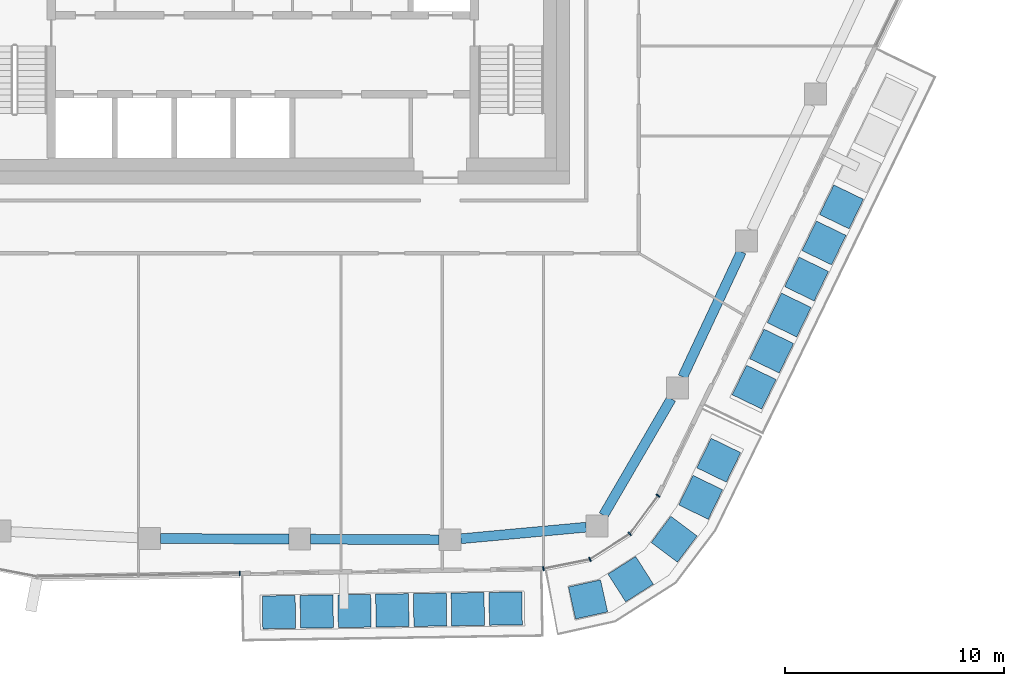
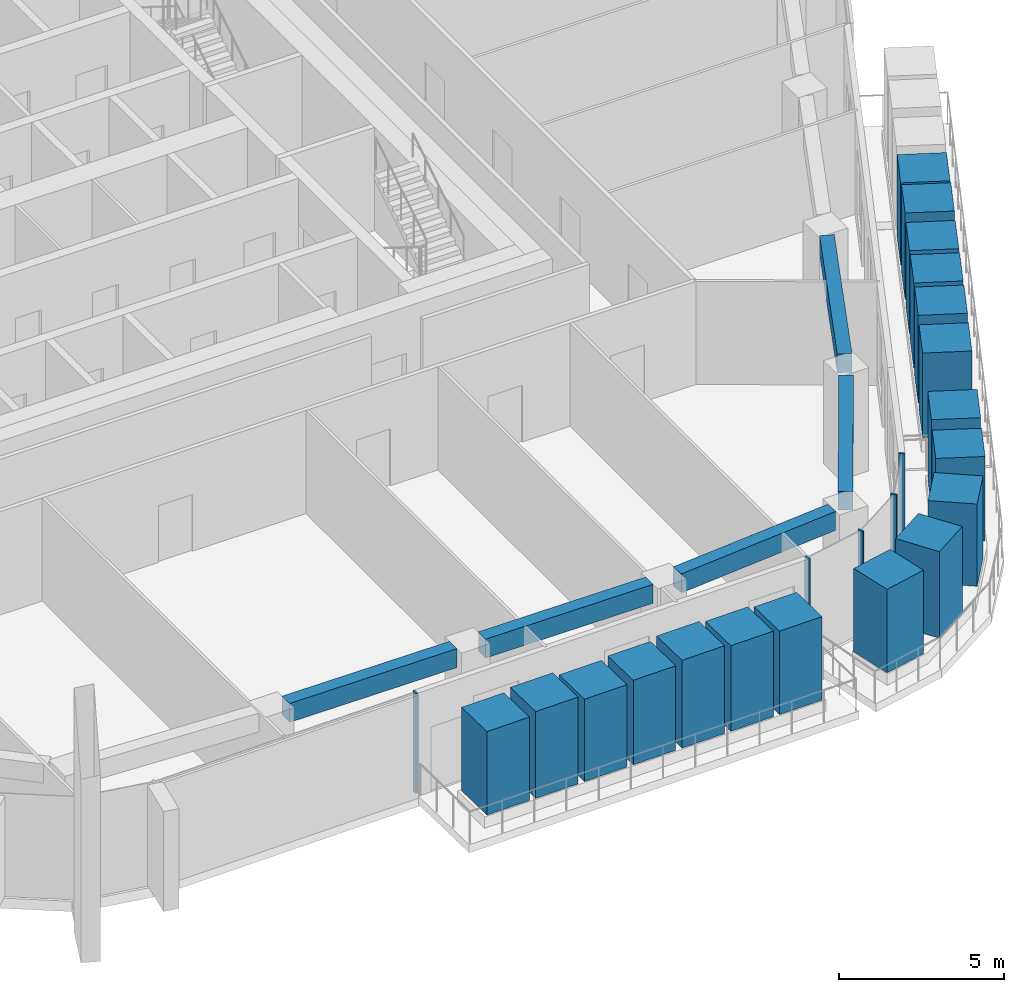
# One storey, part 4 of 24: 23 members, 5 beams, 2 elements without a shape of their own.
"""IFC4 building model written with IfcOpenShell, lengths in metres."""

from ifc_helpers import new_model, si_unit, direction, frame, origin, origin_2d, place, context, subcontext, project, spatial, rectangle, extrude, material, layer, layer_set, material_profile, profile_set, type_object, element, aggregate, save


model = new_model("IFC4")

# Units and contexts
model_context = context("Model", 3, precision=1e-05, world=origin(), true_north=direction((0.0, 1.0)))
body_context = subcontext(model_context, "Body", "Model", "MODEL_VIEW")
ifc_project = project(units=[si_unit("LENGTHUNIT", "METRE"), si_unit("AREAUNIT", "SQUARE_METRE"), si_unit("VOLUMEUNIT", "CUBIC_METRE"), si_unit("PLANEANGLEUNIT", "RADIAN"), si_unit("MASSUNIT", "GRAM", prefix="KILO")], contexts=[model_context])

# Site, building, storey
site_placement = place(None, origin())
site = spatial("IfcSite", under=ifc_project, at=site_placement, CompositionType="ELEMENT")
building_placement = place(site_placement, origin())
building = spatial("IfcBuilding", under=site, at=building_placement, Name="Dongbaek Canopy Tower", CompositionType="ELEMENT")
storey_placement = place(building_placement, frame((0.0, 0.0, 294.199951171875)))
storey = spatial("IfcBuildingStorey", under=building, at=storey_placement, Name="L62", CompositionType="ELEMENT", Elevation=294.199951171875)

# Curtain wall, member
ifc_material_1 = material(Name="Aluminium 6063-T6 pale anodised", Category="aluminium")
ifc_layer = layer(ifc_material_1, 0.199951171875)
ifc_layer_set = layer_set([ifc_layer], Name="CW-1 unitised tower curtain wall")
curtain_wall_type = type_object("IfcCurtainWallType", Name="CW-1 unitised tower curtain wall", PredefinedType="NOTDEFINED", material=ifc_layer_set)
curtain_wall_1_placement = place(storey_placement, origin())
curtain_wall_1 = element("IfcCurtainWall", 1, at=curtain_wall_1_placement, inside=storey, type_object=curtain_wall_type, Name="CW-1 curtain wall F4.1", PredefinedType="NOTDEFINED")
ifc_material_2 = material(Name="Aluminium 6063-T6 pale anodised", Category="aluminium")
ifc_material_profile_1 = material_profile(ifc_material_2, rectangle(XDim=0.199951171875, YDim=0.06005859375, at=origin_2d()), Name="CW-1 mullion 60 x 200")
ifc_profile_set_1 = profile_set([ifc_material_profile_1], Name="Aluminium 6063-T6 pale anodised")
member_type_1 = type_object("IfcMemberType", Name="CW-1 mullion 60 x 200", PredefinedType="MULLION", material=ifc_profile_set_1)
member_1_placement = place(storey_placement, frame((-1.054931640625, -28.767333984375, 0.1201171875), z_axis=(0.0, 0.0, 1.0), x_axis=(0.015683964455, -0.999876999065, 0.0)))
member_1 = element("IfcMember", 2, at=member_1_placement, type_object=member_type_1, Name="CW-1 mullion F4.1.3", PredefinedType="MULLION", context=body_context, shape_type="SweptSolid", body=[
    extrude(rectangle(XDim=0.199951171875, YDim=0.06005859375, at=origin_2d()), origin(), (0.0, 0.0, 1.0), 3.699951171875),
])
aggregate(curtain_wall_1, [member_1])

# Curtain wall, members
curtain_wall_2_placement = place(storey_placement, origin())
curtain_wall_2 = element("IfcCurtainWall", 3, at=curtain_wall_2_placement, inside=storey, type_object=curtain_wall_type, Name="CW-1 curtain wall K5.1", PredefinedType="NOTDEFINED")
member_2_placement = place(storey_placement, frame((12.801513671875, -28.550048828125, 0.0), z_axis=(0.0, 0.0, 1.0), x_axis=(0.19837890647, -0.98012540497, 0.0)))
member_2 = element("IfcMember", 4, at=member_2_placement, type_object=member_type_1, Name="CW-1 mullion K5.1.1", PredefinedType="MULLION", context=body_context, shape_type="SweptSolid", body=[
    extrude(rectangle(XDim=0.199951171875, YDim=0.06005859375, at=origin_2d()), origin(), (0.0, 0.0, 1.0), 3.820068359375),
])
member_3_placement = place(storey_placement, frame((14.92626953125, -28.119873046875, 0.0), z_axis=(0.0, 0.0, 1.0), x_axis=(0.374375075408, -0.927277360294, 0.0)))
member_3 = element("IfcMember", 5, at=member_3_placement, type_object=member_type_1, Name="CW-1 mullion K5.1.2", PredefinedType="MULLION", context=body_context, shape_type="SweptSolid", body=[
    extrude(rectangle(XDim=0.199951171875, YDim=0.06005859375, at=origin_2d()), origin(), (0.0, 0.0, 1.0), 3.820068359375),
])
member_4_placement = place(storey_placement, frame((16.746337890625, -26.959228515625, 0.0), z_axis=(0.0, 0.0, 1.0), x_axis=(0.68292612479, -0.730487445531, 0.0)))
member_4 = element("IfcMember", 6, at=member_4_placement, type_object=member_type_1, Name="CW-1 mullion K5.1.3", PredefinedType="MULLION", context=body_context, shape_type="SweptSolid", body=[
    extrude(rectangle(XDim=0.199951171875, YDim=0.06005859375, at=origin_2d()), origin(), (0.0, 0.0, 1.0), 3.820068359375),
])
member_5_placement = place(storey_placement, frame((18.0322265625, -25.2138671875, 0.0), z_axis=(0.0, 0.0, 1.0), x_axis=(0.805061986906, -0.593190692138, 0.0)))
member_5 = element("IfcMember", 7, at=member_5_placement, type_object=member_type_1, Name="CW-1 mullion K5.1.4", PredefinedType="MULLION", context=body_context, shape_type="SweptSolid", body=[
    extrude(rectangle(XDim=0.199951171875, YDim=0.06005859375, at=origin_2d()), origin(), (0.0, 0.0, 1.0), 3.820068359375),
])
aggregate(curtain_wall_2, [member_2, member_3, member_4, member_5])

# Beams
ifc_material_3 = material(Name="Concrete C60", Category="concrete")
ifc_material_profile_2 = material_profile(ifc_material_3, rectangle(XDim=0.449951171875, YDim=0.699951171875, at=origin_2d()), Name="RC EDGE BEAM 450x700 C60")
ifc_profile_set_2 = profile_set([ifc_material_profile_2], Name="Concrete C60")
beam_type = type_object("IfcBeamType", Name="RC EDGE BEAM 450x700 C60", PredefinedType="BEAM", material=ifc_profile_set_2)
beam_1_placement = place(storey_placement, frame((14.751953125, -26.653076171875, 3.469970703125), z_axis=(-0.995766439544, -0.091919518479, 0.0), x_axis=(0.091919518479, -0.995766439544, 0.0)))
element("IfcBeam", 8, at=beam_1_placement, inside=storey, type_object=beam_type, Name="EDGEBEAM:L62:00", PredefinedType="BEAM", context=body_context, shape_type="SweptSolid", body=[
    extrude(rectangle(XDim=0.449951171875, YDim=0.699951171875, at=origin_2d()), origin(), (0.0, 0.0, 1.0), 5.742431640625),
])
beam_2_placement = place(storey_placement, frame((8.033935546875, -27.224853515625, 3.469970703125), z_axis=(-0.999990401851, 0.004381347473, 0.0), x_axis=(-0.004381347473, -0.999990401851, 0.0)))
element("IfcBeam", 9, at=beam_2_placement, inside=storey, type_object=beam_type, Name="EDGEBEAM:L62:01", PredefinedType="BEAM", context=body_context, shape_type="SweptSolid", body=[
    extrude(rectangle(XDim=0.449951171875, YDim=0.699951171875, at=origin_2d()), origin(), (0.0, 0.0, 1.0), 5.850830078125),
])
beam_3_placement = place(storey_placement, frame((1.18310546875, -27.19482421875, 3.469970703125), z_axis=(-0.999990396242, 0.004382627582, 0.0), x_axis=(-0.004382627582, -0.999990396242, 0.0)))
element("IfcBeam", 10, at=beam_3_placement, inside=storey, type_object=beam_type, Name="EDGEBEAM:L62:02", PredefinedType="BEAM", context=body_context, shape_type="SweptSolid", body=[
    extrude(rectangle(XDim=0.449951171875, YDim=0.699951171875, at=origin_2d()), origin(), (0.0, 0.0, 1.0), 5.84912109375),
])
beam_4_placement = place(storey_placement, frame((21.833740234375, -14.087890625, 3.469970703125), z_axis=(-0.424294949226, -0.905524044993, 0.0), x_axis=(0.905524044993, -0.424294949226, 0.0)))
element("IfcBeam", 11, at=beam_4_placement, inside=storey, type_object=beam_type, Name="EDGEBEAM:L62:24", PredefinedType="BEAM", context=body_context, shape_type="SweptSolid", body=[
    extrude(rectangle(XDim=0.449951171875, YDim=0.699951171875, at=origin_2d()), origin(), (0.0, 0.0, 1.0), 6.303466796875),
])
beam_5_placement = place(storey_placement, frame((18.634033203125, -20.7958984375, 3.469970703125), z_axis=(-0.503016078482, -0.864277053258, 0.0), x_axis=(0.864277053258, -0.503016078482, 0.0)))
element("IfcBeam", 12, at=beam_5_placement, inside=storey, type_object=beam_type, Name="EDGEBEAM:L62:25", PredefinedType="BEAM", context=body_context, shape_type="SweptSolid", body=[
    extrude(rectangle(XDim=0.449951171875, YDim=0.699951171875, at=origin_2d()), origin(), (0.0, 0.0, 1.0), 6.14501953125),
])

# Members
ifc_material_4 = material(Name="Concrete C40/50 planter mass with planting", Category="concrete")
ifc_material_profile_3 = material_profile(ifc_material_4, rectangle(XDim=1.5, YDim=1.5, at=origin_2d()), Name="Terrace PLANTER shrub mass 1500 x 1500")
ifc_profile_set_3 = profile_set([ifc_material_profile_3], Name="Concrete C40/50 planter mass with planting")
member_type_2 = type_object("IfcMemberType", Name="Terrace PLANTER shrub mass 1500 x 1500", PredefinedType="USERDEFINED", material=ifc_profile_set_3)
member_6_placement = place(storey_placement, frame((0.73486328125, -30.529541015625, 0.420166015625), z_axis=(0.0, 0.0, 1.0), x_axis=(0.015683964455, -0.999876999065, 0.0)))
element("IfcMember", 13, at=member_6_placement, inside=storey, type_object=member_type_2, Name="Planter shrubs L62 4.1", ObjectType="PLANTER", PredefinedType="USERDEFINED", context=body_context, shape_type="SweptSolid", body=[
    extrude(rectangle(XDim=1.5, YDim=1.5, at=origin_2d()), origin(), (0.0, 0.0, 1.0), 3.08984375),
])
member_7_placement = place(storey_placement, frame((2.458740234375, -30.50244140625, 0.420166015625), z_axis=(0.0, 0.0, 1.0), x_axis=(0.015683964455, -0.999876999065, 0.0)))
element("IfcMember", 14, at=member_7_placement, inside=storey, type_object=member_type_2, Name="Planter shrubs L62 4.2", ObjectType="PLANTER", PredefinedType="USERDEFINED", context=body_context, shape_type="SweptSolid", body=[
    extrude(rectangle(XDim=1.5, YDim=1.5, at=origin_2d()), origin(), (0.0, 0.0, 1.0), 3.2099609375),
])
member_8_placement = place(storey_placement, frame((4.182373046875, -30.475341796875, 0.420166015625), z_axis=(0.0, 0.0, 1.0), x_axis=(0.015683964455, -0.999876999065, 0.0)))
element("IfcMember", 15, at=member_8_placement, inside=storey, type_object=member_type_2, Name="Planter shrubs L62 4.3", ObjectType="PLANTER", PredefinedType="USERDEFINED", context=body_context, shape_type="SweptSolid", body=[
    extrude(rectangle(XDim=1.5, YDim=1.5, at=origin_2d()), origin(), (0.0, 0.0, 1.0), 3.0498046875),
])
member_9_placement = place(storey_placement, frame((5.906005859375, -30.4482421875, 0.420166015625), z_axis=(0.0, 0.0, 1.0), x_axis=(0.015683964455, -0.999876999065, 0.0)))
element("IfcMember", 16, at=member_9_placement, inside=storey, type_object=member_type_2, Name="Planter shrubs L62 4.4", ObjectType="PLANTER", PredefinedType="USERDEFINED", context=body_context, shape_type="SweptSolid", body=[
    extrude(rectangle(XDim=1.5, YDim=1.5, at=origin_2d()), origin(), (0.0, 0.0, 1.0), 3.1298828125),
])
member_10_placement = place(storey_placement, frame((7.629638671875, -30.42138671875, 0.420166015625), z_axis=(0.0, 0.0, 1.0), x_axis=(0.015683964455, -0.999876999065, 0.0)))
element("IfcMember", 17, at=member_10_placement, inside=storey, type_object=member_type_2, Name="Planter shrubs L62 4.5", ObjectType="PLANTER", PredefinedType="USERDEFINED", context=body_context, shape_type="SweptSolid", body=[
    extrude(rectangle(XDim=1.5, YDim=1.5, at=origin_2d()), origin(), (0.0, 0.0, 1.0), 3.25),
])
member_11_placement = place(storey_placement, frame((9.353515625, -30.394287109375, 0.420166015625), z_axis=(0.0, 0.0, 1.0), x_axis=(0.015683964455, -0.999876999065, 0.0)))
element("IfcMember", 18, at=member_11_placement, inside=storey, type_object=member_type_2, Name="Planter shrubs L62 4.6", ObjectType="PLANTER", PredefinedType="USERDEFINED", context=body_context, shape_type="SweptSolid", body=[
    extrude(rectangle(XDim=1.5, YDim=1.5, at=origin_2d()), origin(), (0.0, 0.0, 1.0), 3.169921875),
])
member_12_placement = place(storey_placement, frame((11.0771484375, -30.3671875, 0.420166015625), z_axis=(0.0, 0.0, 1.0), x_axis=(0.015683964455, -0.999876999065, 0.0)))
element("IfcMember", 19, at=member_12_placement, inside=storey, type_object=member_type_2, Name="Planter shrubs L62 4.7", ObjectType="PLANTER", PredefinedType="USERDEFINED", context=body_context, shape_type="SweptSolid", body=[
    extrude(rectangle(XDim=1.5, YDim=1.5, at=origin_2d()), origin(), (0.0, 0.0, 1.0), 3.08984375),
])
member_13_placement = place(storey_placement, frame((22.41845703125, -20.263916015625, 0.420166015625), z_axis=(0.0, 0.0, 1.0), x_axis=(0.900012864193, -0.435863332121, 0.0)))
element("IfcMember", 20, at=member_13_placement, inside=storey, type_object=member_type_2, Name="Planter shrubs L62 5.1", ObjectType="PLANTER", PredefinedType="USERDEFINED", context=body_context, shape_type="SweptSolid", body=[
    extrude(rectangle(XDim=1.5, YDim=1.5, at=origin_2d()), origin(), (0.0, 0.0, 1.0), 3.1298828125),
])
member_14_placement = place(storey_placement, frame((23.215087890625, -18.618896484375, 0.420166015625), z_axis=(0.0, 0.0, 1.0), x_axis=(0.900012864193, -0.435863332121, 0.0)))
element("IfcMember", 21, at=member_14_placement, inside=storey, type_object=member_type_2, Name="Planter shrubs L62 5.2", ObjectType="PLANTER", PredefinedType="USERDEFINED", context=body_context, shape_type="SweptSolid", body=[
    extrude(rectangle(XDim=1.5, YDim=1.5, at=origin_2d()), origin(), (0.0, 0.0, 1.0), 3.25),
])
member_15_placement = place(storey_placement, frame((24.01171875, -16.973876953125, 0.420166015625), z_axis=(0.0, 0.0, 1.0), x_axis=(0.900012864193, -0.435863332121, 0.0)))
element("IfcMember", 22, at=member_15_placement, inside=storey, type_object=member_type_2, Name="Planter shrubs L62 5.3", ObjectType="PLANTER", PredefinedType="USERDEFINED", context=body_context, shape_type="SweptSolid", body=[
    extrude(rectangle(XDim=1.5, YDim=1.5, at=origin_2d()), origin(), (0.0, 0.0, 1.0), 3.169921875),
])
member_16_placement = place(storey_placement, frame((24.80810546875, -15.3291015625, 0.420166015625), z_axis=(0.0, 0.0, 1.0), x_axis=(0.900012864193, -0.435863332121, 0.0)))
element("IfcMember", 23, at=member_16_placement, inside=storey, type_object=member_type_2, Name="Planter shrubs L62 5.4", ObjectType="PLANTER", PredefinedType="USERDEFINED", context=body_context, shape_type="SweptSolid", body=[
    extrude(rectangle(XDim=1.5, YDim=1.5, at=origin_2d()), origin(), (0.0, 0.0, 1.0), 3.08984375),
])
member_17_placement = place(storey_placement, frame((25.604736328125, -13.68408203125, 0.420166015625), z_axis=(0.0, 0.0, 1.0), x_axis=(0.900012864193, -0.435863332121, 0.0)))
element("IfcMember", 24, at=member_17_placement, inside=storey, type_object=member_type_2, Name="Planter shrubs L62 5.5", ObjectType="PLANTER", PredefinedType="USERDEFINED", context=body_context, shape_type="SweptSolid", body=[
    extrude(rectangle(XDim=1.5, YDim=1.5, at=origin_2d()), origin(), (0.0, 0.0, 1.0), 3.2099609375),
])
member_18_placement = place(storey_placement, frame((26.4013671875, -12.039306640625, 0.420166015625), z_axis=(0.0, 0.0, 1.0), x_axis=(0.900012864193, -0.435863332121, 0.0)))
element("IfcMember", 25, at=member_18_placement, inside=storey, type_object=member_type_2, Name="Planter shrubs L62 5.6", ObjectType="PLANTER", PredefinedType="USERDEFINED", context=body_context, shape_type="SweptSolid", body=[
    extrude(rectangle(XDim=1.5, YDim=1.5, at=origin_2d()), origin(), (0.0, 0.0, 1.0), 3.0498046875),
])
member_19_placement = place(storey_placement, frame((14.837890625, -29.949462890625, 0.420166015625), z_axis=(0.0, 0.0, 1.0), x_axis=(0.216327066433, -0.976320951495, 0.0)))
element("IfcMember", 26, at=member_19_placement, inside=storey, type_object=member_type_2, Name="Planter shrubs L62 8.1", ObjectType="PLANTER", PredefinedType="USERDEFINED", context=body_context, shape_type="SweptSolid", body=[
    extrude(rectangle(XDim=1.5, YDim=1.5, at=origin_2d()), origin(), (0.0, 0.0, 1.0), 3.08984375),
])
member_20_placement = place(storey_placement, frame((16.783447265625, -29.024658203125, 0.420166015625), z_axis=(0.0, 0.0, 1.0), x_axis=(0.53772950879, -0.843117414941, 0.0)))
element("IfcMember", 27, at=member_20_placement, inside=storey, type_object=member_type_2, Name="Planter shrubs L62 8.2", ObjectType="PLANTER", PredefinedType="USERDEFINED", context=body_context, shape_type="SweptSolid", body=[
    extrude(rectangle(XDim=1.5, YDim=1.5, at=origin_2d()), origin(), (0.0, 0.0, 1.0), 3.2099609375),
])
member_21_placement = place(storey_placement, frame((18.767578125, -27.203369140625, 0.420166015625), z_axis=(0.0, 0.0, 1.0), x_axis=(0.800267717706, -0.599642877051, 0.0)))
element("IfcMember", 28, at=member_21_placement, inside=storey, type_object=member_type_2, Name="Planter shrubs L62 8.3", ObjectType="PLANTER", PredefinedType="USERDEFINED", context=body_context, shape_type="SweptSolid", body=[
    extrude(rectangle(XDim=1.5, YDim=1.5, at=origin_2d()), origin(), (0.0, 0.0, 1.0), 3.0498046875),
])
member_22_placement = place(storey_placement, frame((19.977294921875, -25.2919921875, 0.420166015625), z_axis=(0.0, 0.0, 1.0), x_axis=(0.899184228152, -0.437570250179, 0.0)))
element("IfcMember", 29, at=member_22_placement, inside=storey, type_object=member_type_2, Name="Planter shrubs L62 8.4", ObjectType="PLANTER", PredefinedType="USERDEFINED", context=body_context, shape_type="SweptSolid", body=[
    extrude(rectangle(XDim=1.5, YDim=1.5, at=origin_2d()), origin(), (0.0, 0.0, 1.0), 3.1298828125),
])
member_23_placement = place(storey_placement, frame((20.801513671875, -23.59814453125, 0.420166015625), z_axis=(0.0, 0.0, 1.0), x_axis=(0.899184228152, -0.437570250179, 0.0)))
element("IfcMember", 30, at=member_23_placement, inside=storey, type_object=member_type_2, Name="Planter shrubs L62 8.5", ObjectType="PLANTER", PredefinedType="USERDEFINED", context=body_context, shape_type="SweptSolid", body=[
    extrude(rectangle(XDim=1.5, YDim=1.5, at=origin_2d()), origin(), (0.0, 0.0, 1.0), 3.25),
])

save(model, "model.ifc")
